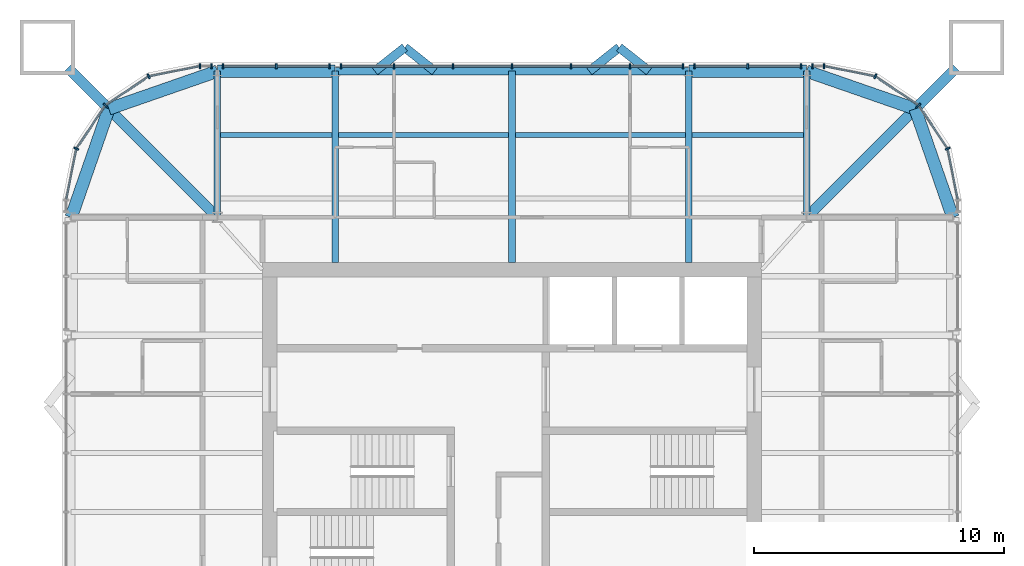
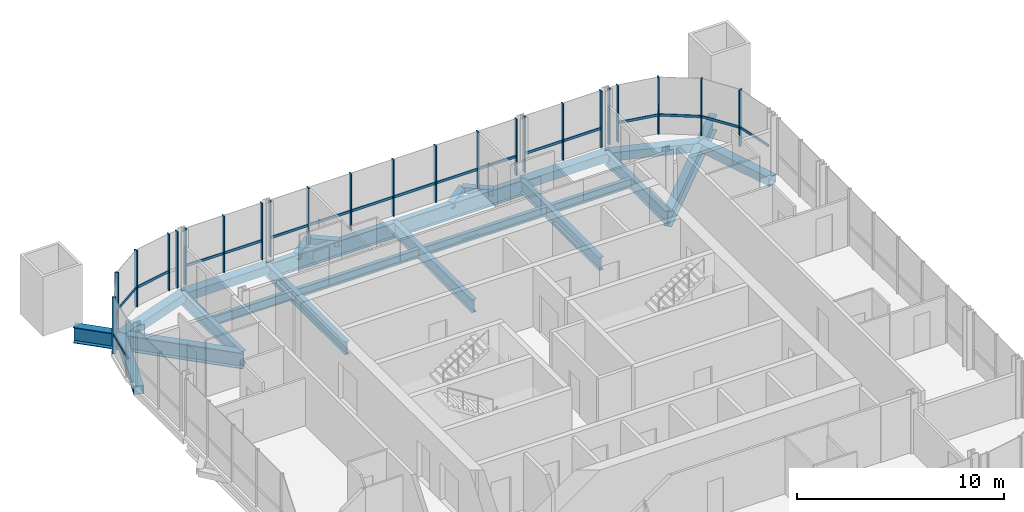
# One storey, part 6 of 17: 41 members, 22 beams, 7 elements without a shape of their own.
"""IFC4 building model written with IfcOpenShell, lengths in metres."""

from ifc_helpers import new_model, si_unit, direction, frame, origin, origin_2d, place, context, subcontext, project, spatial, rectangle, hollow_rectangle, i_section, extrude, material, material_profile, profile_set, type_object, element, aggregate, save


model = new_model("IFC4")

# Units and contexts
model_context = context("Model", 3, precision=1e-05, world=origin(), true_north=direction((0.0, 1.0)))
body_context = subcontext(model_context, "Body", "Model", "MODEL_VIEW")
ifc_project = project(units=[si_unit("LENGTHUNIT", "METRE"), si_unit("AREAUNIT", "SQUARE_METRE"), si_unit("VOLUMEUNIT", "CUBIC_METRE"), si_unit("PLANEANGLEUNIT", "RADIAN"), si_unit("MASSUNIT", "GRAM", prefix="KILO")], contexts=[model_context])

# Site, building, storey
site_placement = place(None, origin())
site = spatial("IfcSite", under=ifc_project, at=site_placement, CompositionType="ELEMENT")
building_placement = place(site_placement, origin())
building = spatial("IfcBuilding", under=site, at=building_placement, Name="Turquesa Mirador Hotel Tower", CompositionType="ELEMENT")
storey_placement = place(building_placement, frame((0.0, 0.0, 254.699951171875)))
storey = spatial("IfcBuildingStorey", under=building, at=storey_placement, Name="L69", CompositionType="ELEMENT", Elevation=254.699951171875)

# Beams
ifc_material_1 = material(Name="Steel ASTM A572 Grade 50", Category="steel")
ifc_material_profile_1 = material_profile(ifc_material_1, hollow_rectangle(XDim=0.5, YDim=0.5, WallThickness=0.01611328125, at=origin_2d()), Name="BOX500X500X16")
ifc_profile_set_1 = profile_set([ifc_material_profile_1], Name="Steel ASTM A572 Grade 50")
beam_type_1 = type_object("IfcBeamType", Name="BEAM BOX500X500X16", PredefinedType="BEAM", material=ifc_profile_set_1)
for number, where, z_axis, x_axis, name in (
    (1, (43.199951171875, 62.64990234375, -0.419921875), (1.0, 0.0, 0.0), (0.0, 1.0, 0.0), "EB-L69-N-L"),
    (2, (62.080078125, 62.64990234375, -0.419921875), (1.0, 0.0, 0.0), (0.0, 1.0, 0.0), "EB-L69-N-R"),
):
    element("IfcBeam", number, at=place(storey_placement, frame(where, z_axis=z_axis, x_axis=x_axis)), inside=storey, type_object=beam_type_1, Name=name, PredefinedType="BEAM", context=body_context, shape_type="SweptSolid", body=[
        extrude(hollow_rectangle(XDim=0.5, YDim=0.5, WallThickness=0.01611328125, at=origin_2d()), origin(), (0.0, 0.0, 1.0), 4.719970703125),
    ])
for number, where, z_axis, x_axis, name in (
    (3, (72.64990234375, 56.800048828125, -0.419921875), (-0.328170356092, 0.944618556552, 0.0), (-0.944618556552, -0.328170356092, 0.0), "KE-L69-1-0"),
    (4, (71.1416015625, 61.1416015625, -0.419921875), (-0.944618556552, 0.328170356092, 0.0), (-0.328170356092, -0.944618556552, 0.0), "KE-L69-1-1"),
    (5, (37.35009765625, 56.800048828125, -0.419921875), (0.328170356092, 0.944618556552, 0.0), (-0.944618556552, 0.328170356092, 0.0), "KE-L69-2-0"),
    (6, (38.8583984375, 61.1416015625, -0.419921875), (0.944618556552, 0.328170356092, 0.0), (-0.328170356092, 0.944618556552, 0.0), "KE-L69-2-1"),
):
    element("IfcBeam", number, at=place(storey_placement, frame(where, z_axis=z_axis, x_axis=x_axis)), inside=storey, type_object=beam_type_1, Name=name, PredefinedType="BEAM", context=body_context, shape_type="SweptSolid", body=[
        extrude(hollow_rectangle(XDim=0.5, YDim=0.5, WallThickness=0.01611328125, at=origin_2d()), origin(), (0.0, 0.0, 1.0), 4.59619140625),
    ])
ifc_material_2 = material(Name="Steel ASTM A992 Grade 50", Category="steel")
ifc_material_profile_2 = material_profile(ifc_material_2, i_section(OverallWidth=0.209228515625, OverallDepth=0.533447265625, WebThickness=0.01025390625, FlangeThickness=0.015625, at=origin_2d()), Name="W21X62")
ifc_profile_set_2 = profile_set([ifc_material_profile_2], Name="Steel ASTM A992 Grade 50")
beam_type_2 = type_object("IfcBeamType", Name="BEAM W21X62", PredefinedType="BEAM", material=ifc_profile_set_2)
beam_1_placement = place(storey_placement, frame((43.333251953125, 60.10009765625, -0.436767578125), z_axis=(1.0, 0.0, 0.0), x_axis=(0.0, 1.0, 0.0)))
element("IfcBeam", 7, at=beam_1_placement, inside=storey, type_object=beam_type_2, Name="IB-L69-N-2-0", PredefinedType="BEAM", context=body_context, shape_type="SweptSolid", body=[
    extrude(i_section(OverallWidth=0.209228515625, OverallDepth=0.533447265625, WebThickness=0.01025390625, FlangeThickness=0.015625, at=origin_2d()), origin(), (0.0, 0.0, 1.0), 4.453369140625),
])
for number, where, z_axis, x_axis, name in (
    (8, (48.053466796875, 60.10009765625, -0.436767578125), (1.0, 0.0, 0.0), (0.0, 1.0, 0.0), "IB-L69-N-2-1"),
    (9, (55.13330078125, 60.10009765625, -0.436767578125), (1.0, 0.0, 0.0), (0.0, 1.0, 0.0), "IB-L69-N-2-2"),
):
    element("IfcBeam", number, at=place(storey_placement, frame(where, z_axis=z_axis, x_axis=x_axis)), inside=storey, type_object=beam_type_2, Name=name, PredefinedType="BEAM", context=body_context, shape_type="SweptSolid", body=[
        extrude(i_section(OverallWidth=0.209228515625, OverallDepth=0.533447265625, WebThickness=0.01025390625, FlangeThickness=0.015625, at=origin_2d()), origin(), (0.0, 0.0, 1.0), 6.813232421875),
    ])
beam_2_placement = place(storey_placement, frame((62.21337890625, 60.10009765625, -0.436767578125), z_axis=(1.0, 0.0, 0.0), x_axis=(0.0, 1.0, 0.0)))
element("IfcBeam", 10, at=beam_2_placement, inside=storey, type_object=beam_type_2, Name="IB-L69-N-2-3", PredefinedType="BEAM", context=body_context, shape_type="SweptSolid", body=[
    extrude(i_section(OverallWidth=0.209228515625, OverallDepth=0.533447265625, WebThickness=0.01025390625, FlangeThickness=0.015625, at=origin_2d()), origin(), (0.0, 0.0, 1.0), 4.453369140625),
])
ifc_material_3 = material(Name="Steel ASTM A992 Grade 50", Category="steel")
ifc_material_profile_3 = material_profile(ifc_material_3, i_section(OverallWidth=0.2666015625, OverallDepth=0.7568359375, WebThickness=0.013916015625, FlangeThickness=0.019287109375, at=origin_2d()), Name="W30X108")
ifc_profile_set_3 = profile_set([ifc_material_profile_3], Name="Steel ASTM A992 Grade 50")
beam_type_3 = type_object("IfcBeamType", Name="BEAM W30X108", PredefinedType="BEAM", material=ifc_profile_set_3)
for number, where, z_axis, x_axis, name in (
    (11, (47.919921875, 62.64990234375, -0.54833984375), (0.0, -1.0, 0.0), (1.0, 0.0, 0.0), "GD-L69-N--7.08"),
    (12, (62.080078125, 62.64990234375, -0.54833984375), (0.0, -1.0, 0.0), (1.0, 0.0, 0.0), "GD-L69-N-+7.08"),
    (13, (55.0, 62.64990234375, -0.54833984375), (0.0, -1.0, 0.0), (1.0, 0.0, 0.0), "GD-L69-N-+0.00"),
):
    element("IfcBeam", number, at=place(storey_placement, frame(where, z_axis=z_axis, x_axis=x_axis)), inside=storey, type_object=beam_type_3, Name=name, PredefinedType="BEAM", context=body_context, shape_type="SweptSolid", body=[
        extrude(i_section(OverallWidth=0.2666015625, OverallDepth=0.7568359375, WebThickness=0.013916015625, FlangeThickness=0.019287109375, at=origin_2d()), origin(), (0.0, 0.0, 1.0), 7.64990234375),
    ])
for number, where, z_axis, x_axis, name in (
    (14, (43.199951171875, 62.64990234375, -0.54833984375), (0.0, -1.0, 0.0), (1.0, 0.0, 0.0), "GK-L69-N--11.80"),
    (15, (66.800048828125, 62.64990234375, -0.54833984375), (0.0, -1.0, 0.0), (1.0, 0.0, 0.0), "GK-L69-N-+11.80"),
):
    element("IfcBeam", number, at=place(storey_placement, frame(where, z_axis=z_axis, x_axis=x_axis)), inside=storey, type_object=beam_type_3, Name=name, PredefinedType="BEAM", context=body_context, shape_type="SweptSolid", body=[
        extrude(i_section(OverallWidth=0.2666015625, OverallDepth=0.7568359375, WebThickness=0.013916015625, FlangeThickness=0.019287109375, at=origin_2d()), origin(), (0.0, 0.0, 1.0), 5.849853515625),
    ])
ifc_material_4 = material(Name="Steel ASTM A992 Grade 50", Category="steel")
ifc_material_profile_4 = material_profile(ifc_material_4, i_section(OverallWidth=0.3046875, OverallDepth=0.911865234375, WebThickness=0.015869140625, FlangeThickness=0.02392578125, at=origin_2d()), Name="W36X150")
ifc_profile_set_4 = profile_set([ifc_material_profile_4], Name="Steel ASTM A992 Grade 50")
beam_type_4 = type_object("IfcBeamType", Name="BEAM W36X150", PredefinedType="BEAM", material=ifc_profile_set_4)
beam_3_placement = place(storey_placement, frame((47.919921875, 62.64990234375, -0.6259765625), z_axis=(1.0, 0.0, 0.0), x_axis=(0.0, 1.0, 0.0)))
element("IfcBeam", 16, at=beam_3_placement, inside=storey, type_object=beam_type_4, Name="EB-L69-N-C", PredefinedType="BEAM", context=body_context, shape_type="SweptSolid", body=[
    extrude(i_section(OverallWidth=0.3046875, OverallDepth=0.911865234375, WebThickness=0.015869140625, FlangeThickness=0.02392578125, at=origin_2d()), origin(), (0.0, 0.0, 1.0), 14.16015625),
])
ifc_material_5 = material(Name="Steel ASTM A992 Grade 50", Category="steel")
ifc_material_profile_5 = material_profile(ifc_material_5, i_section(OverallWidth=0.419189453125, OverallDepth=0.927001953125, WebThickness=0.019287109375, FlangeThickness=0.031982421875, at=origin_2d()), Name="W36X231")
ifc_profile_set_5 = profile_set([ifc_material_profile_5], Name="Steel ASTM A992 Grade 50")
beam_type_5 = type_object("IfcBeamType", Name="BEAM W36X231", PredefinedType="BEAM", material=ifc_profile_set_5)
for number, where, z_axis, x_axis, name in (
    (17, (66.800048828125, 56.800048828125, -0.633544921875), (0.707106781187, 0.707106781187, 0.0), (-0.707106781187, 0.707106781187, 0.0), "KD-L69-1"),
    (18, (43.199951171875, 56.800048828125, -0.633544921875), (-0.707106781187, 0.707106781187, 0.0), (-0.707106781187, -0.707106781187, 0.0), "KD-L69-2"),
):
    element("IfcBeam", number, at=place(storey_placement, frame(where, z_axis=z_axis, x_axis=x_axis)), inside=storey, type_object=beam_type_5, Name=name, PredefinedType="BEAM", context=body_context, shape_type="SweptSolid", body=[
        extrude(i_section(OverallWidth=0.419189453125, OverallDepth=0.927001953125, WebThickness=0.019287109375, FlangeThickness=0.031982421875, at=origin_2d()), origin(), (0.0, 0.0, 1.0), 8.46240234375),
    ])
ifc_material_6 = material(Name="Steel ASTM A500 Grade C", Category="steel")
ifc_material_profile_6 = material_profile(ifc_material_6, hollow_rectangle(XDim=0.355712890625, YDim=0.355712890625, WallThickness=0.0146484375, at=origin_2d()), Name="HSS14X14X5/8")
ifc_profile_set_6 = profile_set([ifc_material_profile_6], Name="Steel ASTM A500 Grade C")
beam_type_6 = type_object("IfcBeamType", Name="BRACE STRUT HSS14X14X5/8", PredefinedType="BEAM", material=ifc_profile_set_6)
for number, where, z_axis, x_axis, name in (
    (19, (59.292236328125, 63.60009765625, -0.34765625), (-0.783971428146, -0.620796907089, 0.0), (0.620796907089, -0.783971428146, 0.0), "Brace strut"),
    (20, (59.292236328125, 63.60009765625, -0.34765625), (0.783971428146, -0.620796907089, 0.0), (0.620796907089, 0.783971428146, 0.0), "Brace strut"),
    (21, (50.707763671875, 63.60009765625, -0.34765625), (-0.783971428146, -0.620796907089, 0.0), (0.620796907089, -0.783971428146, 0.0), "Brace strut"),
    (22, (50.707763671875, 63.60009765625, -0.34765625), (0.783971428146, -0.620796907089, 0.0), (0.620796907089, 0.783971428146, 0.0), "Brace strut"),
):
    element("IfcBeam", number, at=place(storey_placement, frame(where, z_axis=z_axis, x_axis=x_axis)), inside=storey, type_object=beam_type_6, Name=name, PredefinedType="BEAM", context=body_context, shape_type="SweptSolid", body=[
        extrude(hollow_rectangle(XDim=0.355712890625, YDim=0.355712890625, WallThickness=0.0146484375, at=origin_2d()), origin(), (0.0, 0.0, 1.0), 1.530517578125),
    ])

# Curtain wall, members
ifc_material_7 = material(Name="Aluminium extrusion", Category="aluminium")
curtain_wall_type = type_object("IfcCurtainWallType", Name="CW-4 SUITE FRITTED CURTAIN WALL", PredefinedType="USERDEFINED", material=ifc_material_7)
curtain_wall_1_placement = place(storey_placement, origin())
curtain_wall_1 = element("IfcCurtainWall", 23, at=curtain_wall_1_placement, inside=storey, type_object=curtain_wall_type, Name="CW-4 SUITE FRITTED CURTAIN WALL L69", ObjectType="CURTAIN WALL", PredefinedType="USERDEFINED")
ifc_material_8 = material(Name="Aluminium extrusion", Category="aluminium")
ifc_material_profile_7 = material_profile(ifc_material_8, rectangle(XDim=0.06494140625, YDim=0.199951171875, at=origin_2d()), Name="MULLION 65X200")
ifc_profile_set_7 = profile_set([ifc_material_profile_7], Name="Aluminium extrusion")
member_type_1 = type_object("IfcMemberType", Name="CW MULLION 65X200", PredefinedType="MULLION", material=ifc_profile_set_7)
member_1_placement = place(storey_placement, frame((72.44287109375, 59.54736328125, 0.0), z_axis=(0.0, 0.0, 1.0), x_axis=(-0.382683432365, 0.923879532511, 0.0)))
member_1 = element("IfcMember", 24, at=member_1_placement, type_object=member_type_1, Name="Mullion", PredefinedType="MULLION", context=body_context, shape_type="SweptSolid", body=[
    extrude(rectangle(XDim=0.06494140625, YDim=0.199951171875, at=origin_2d()), origin(), (0.0, 0.0, 1.0), 3.330078125),
])
member_2_placement = place(storey_placement, frame((71.282958984375, 61.282958984375, 0.0), z_axis=(0.0, 0.0, 1.0), x_axis=(-0.707106781187, 0.707106781187, 0.0)))
member_2 = element("IfcMember", 25, at=member_2_placement, type_object=member_type_1, Name="Mullion", PredefinedType="MULLION", context=body_context, shape_type="SweptSolid", body=[
    extrude(rectangle(XDim=0.06494140625, YDim=0.199951171875, at=origin_2d()), origin(), (0.0, 0.0, 1.0), 3.330078125),
])
member_3_placement = place(storey_placement, frame((69.54736328125, 62.44287109375, 0.0), z_axis=(0.0, 0.0, 1.0), x_axis=(-0.923879532511, 0.382683432365, 0.0)))
member_3 = element("IfcMember", 26, at=member_3_placement, type_object=member_type_1, Name="Mullion", PredefinedType="MULLION", context=body_context, shape_type="SweptSolid", body=[
    extrude(rectangle(XDim=0.06494140625, YDim=0.199951171875, at=origin_2d()), origin(), (0.0, 0.0, 1.0), 3.330078125),
])

curtain_wall_2_placement = place(storey_placement, origin())
curtain_wall_2 = element("IfcCurtainWall", 27, at=curtain_wall_2_placement, inside=storey, type_object=curtain_wall_type, Name="CW-4 SUITE FRITTED CURTAIN WALL L69", ObjectType="CURTAIN WALL", PredefinedType="USERDEFINED")
member_4_placement = place(storey_placement, frame((67.5, 62.85009765625, 0.0), z_axis=(0.0, 0.0, 1.0), x_axis=(-1.0, 0.0, 0.0)))
member_4 = element("IfcMember", 28, at=member_4_placement, type_object=member_type_1, Name="Mullion", PredefinedType="MULLION", context=body_context, shape_type="SweptSolid", body=[
    extrude(rectangle(XDim=0.06494140625, YDim=0.199951171875, at=origin_2d()), origin(), (0.0, 0.0, 1.0), 3.330078125),
])
member_5_placement = place(storey_placement, frame((67.033935546875, 62.85009765625, 0.0), z_axis=(0.0, 0.0, 1.0), x_axis=(-1.0, 0.0, 0.0)))
member_5 = element("IfcMember", 29, at=member_5_placement, type_object=member_type_1, Name="Mullion", PredefinedType="MULLION", context=body_context, shape_type="SweptSolid", body=[
    extrude(rectangle(XDim=0.06494140625, YDim=0.199951171875, at=origin_2d()), origin(), (0.0, 0.0, 1.0), 3.330078125),
])
aggregate(curtain_wall_2, [member_4, member_5])

curtain_wall_3_placement = place(storey_placement, origin())
curtain_wall_3 = element("IfcCurtainWall", 30, at=curtain_wall_3_placement, inside=storey, type_object=curtain_wall_type, Name="CW-4 SUITE FRITTED CURTAIN WALL L69", ObjectType="CURTAIN WALL", PredefinedType="USERDEFINED")
member_6_placement = place(storey_placement, frame((66.566162109375, 62.85009765625, 0.0), z_axis=(0.0, 0.0, 1.0), x_axis=(-1.0, 0.0, 0.0)))
member_6 = element("IfcMember", 31, at=member_6_placement, type_object=member_type_1, Name="Mullion", PredefinedType="MULLION", context=body_context, shape_type="SweptSolid", body=[
    extrude(rectangle(XDim=0.06494140625, YDim=0.199951171875, at=origin_2d()), origin(), (0.0, 0.0, 1.0), 3.330078125),
])
member_7_placement = place(storey_placement, frame((64.43994140625, 62.85009765625, 0.0), z_axis=(0.0, 0.0, 1.0), x_axis=(-1.0, 0.0, 0.0)))
member_7 = element("IfcMember", 32, at=member_7_placement, type_object=member_type_1, Name="Mullion", PredefinedType="MULLION", context=body_context, shape_type="SweptSolid", body=[
    extrude(rectangle(XDim=0.06494140625, YDim=0.199951171875, at=origin_2d()), origin(), (0.0, 0.0, 1.0), 3.330078125),
])
member_8_placement = place(storey_placement, frame((62.31396484375, 62.85009765625, 0.0), z_axis=(0.0, 0.0, 1.0), x_axis=(-1.0, 0.0, 0.0)))
member_8 = element("IfcMember", 33, at=member_8_placement, type_object=member_type_1, Name="Mullion", PredefinedType="MULLION", context=body_context, shape_type="SweptSolid", body=[
    extrude(rectangle(XDim=0.06494140625, YDim=0.199951171875, at=origin_2d()), origin(), (0.0, 0.0, 1.0), 3.330078125),
])

curtain_wall_4_placement = place(storey_placement, origin())
curtain_wall_4 = element("IfcCurtainWall", 34, at=curtain_wall_4_placement, inside=storey, type_object=curtain_wall_type, Name="CW-4 SUITE FRITTED CURTAIN WALL L69", ObjectType="CURTAIN WALL", PredefinedType="USERDEFINED")
member_9_placement = place(storey_placement, frame((61.84619140625, 62.85009765625, 0.0), z_axis=(0.0, 0.0, 1.0), x_axis=(-1.0, 0.0, 0.0)))
member_9 = element("IfcMember", 35, at=member_9_placement, type_object=member_type_1, Name="Mullion", PredefinedType="MULLION", context=body_context, shape_type="SweptSolid", body=[
    extrude(rectangle(XDim=0.06494140625, YDim=0.199951171875, at=origin_2d()), origin(), (0.0, 0.0, 1.0), 3.330078125),
])
member_10_placement = place(storey_placement, frame((59.719970703125, 62.85009765625, 0.0), z_axis=(0.0, 0.0, 1.0), x_axis=(-1.0, 0.0, 0.0)))
member_10 = element("IfcMember", 36, at=member_10_placement, type_object=member_type_1, Name="Mullion", PredefinedType="MULLION", context=body_context, shape_type="SweptSolid", body=[
    extrude(rectangle(XDim=0.06494140625, YDim=0.199951171875, at=origin_2d()), origin(), (0.0, 0.0, 1.0), 3.330078125),
])
member_11_placement = place(storey_placement, frame((57.360107421875, 62.85009765625, 0.0), z_axis=(0.0, 0.0, 1.0), x_axis=(-1.0, 0.0, 0.0)))
member_11 = element("IfcMember", 37, at=member_11_placement, type_object=member_type_1, Name="Mullion", PredefinedType="MULLION", context=body_context, shape_type="SweptSolid", body=[
    extrude(rectangle(XDim=0.06494140625, YDim=0.199951171875, at=origin_2d()), origin(), (0.0, 0.0, 1.0), 3.330078125),
])
member_12_placement = place(storey_placement, frame((55.0, 62.85009765625, 0.0), z_axis=(0.0, 0.0, 1.0), x_axis=(-1.0, 0.0, 0.0)))
member_12 = element("IfcMember", 38, at=member_12_placement, type_object=member_type_1, Name="Mullion", PredefinedType="MULLION", context=body_context, shape_type="SweptSolid", body=[
    extrude(rectangle(XDim=0.06494140625, YDim=0.199951171875, at=origin_2d()), origin(), (0.0, 0.0, 1.0), 3.330078125),
])
member_13_placement = place(storey_placement, frame((52.639892578125, 62.85009765625, 0.0), z_axis=(0.0, 0.0, 1.0), x_axis=(-1.0, 0.0, 0.0)))
member_13 = element("IfcMember", 39, at=member_13_placement, type_object=member_type_1, Name="Mullion", PredefinedType="MULLION", context=body_context, shape_type="SweptSolid", body=[
    extrude(rectangle(XDim=0.06494140625, YDim=0.199951171875, at=origin_2d()), origin(), (0.0, 0.0, 1.0), 3.330078125),
])
member_14_placement = place(storey_placement, frame((50.280029296875, 62.85009765625, 0.0), z_axis=(0.0, 0.0, 1.0), x_axis=(-1.0, 0.0, 0.0)))
member_14 = element("IfcMember", 40, at=member_14_placement, type_object=member_type_1, Name="Mullion", PredefinedType="MULLION", context=body_context, shape_type="SweptSolid", body=[
    extrude(rectangle(XDim=0.06494140625, YDim=0.199951171875, at=origin_2d()), origin(), (0.0, 0.0, 1.0), 3.330078125),
])
member_15_placement = place(storey_placement, frame((48.15380859375, 62.85009765625, 0.0), z_axis=(0.0, 0.0, 1.0), x_axis=(-1.0, 0.0, 0.0)))
member_15 = element("IfcMember", 41, at=member_15_placement, type_object=member_type_1, Name="Mullion", PredefinedType="MULLION", context=body_context, shape_type="SweptSolid", body=[
    extrude(rectangle(XDim=0.06494140625, YDim=0.199951171875, at=origin_2d()), origin(), (0.0, 0.0, 1.0), 3.330078125),
])

curtain_wall_5_placement = place(storey_placement, origin())
curtain_wall_5 = element("IfcCurtainWall", 42, at=curtain_wall_5_placement, inside=storey, type_object=curtain_wall_type, Name="CW-4 SUITE FRITTED CURTAIN WALL L69", ObjectType="CURTAIN WALL", PredefinedType="USERDEFINED")
member_16_placement = place(storey_placement, frame((47.68603515625, 62.85009765625, 0.0), z_axis=(0.0, 0.0, 1.0), x_axis=(-1.0, 0.0, 0.0)))
member_16 = element("IfcMember", 43, at=member_16_placement, type_object=member_type_1, Name="Mullion", PredefinedType="MULLION", context=body_context, shape_type="SweptSolid", body=[
    extrude(rectangle(XDim=0.06494140625, YDim=0.199951171875, at=origin_2d()), origin(), (0.0, 0.0, 1.0), 3.330078125),
])
member_17_placement = place(storey_placement, frame((45.56005859375, 62.85009765625, 0.0), z_axis=(0.0, 0.0, 1.0), x_axis=(-1.0, 0.0, 0.0)))
member_17 = element("IfcMember", 44, at=member_17_placement, type_object=member_type_1, Name="Mullion", PredefinedType="MULLION", context=body_context, shape_type="SweptSolid", body=[
    extrude(rectangle(XDim=0.06494140625, YDim=0.199951171875, at=origin_2d()), origin(), (0.0, 0.0, 1.0), 3.330078125),
])
member_18_placement = place(storey_placement, frame((43.433837890625, 62.85009765625, 0.0), z_axis=(0.0, 0.0, 1.0), x_axis=(-1.0, 0.0, 0.0)))
member_18 = element("IfcMember", 45, at=member_18_placement, type_object=member_type_1, Name="Mullion", PredefinedType="MULLION", context=body_context, shape_type="SweptSolid", body=[
    extrude(rectangle(XDim=0.06494140625, YDim=0.199951171875, at=origin_2d()), origin(), (0.0, 0.0, 1.0), 3.330078125),
])

curtain_wall_6_placement = place(storey_placement, origin())
curtain_wall_6 = element("IfcCurtainWall", 46, at=curtain_wall_6_placement, inside=storey, type_object=curtain_wall_type, Name="CW-4 SUITE FRITTED CURTAIN WALL L69", ObjectType="CURTAIN WALL", PredefinedType="USERDEFINED")
member_19_placement = place(storey_placement, frame((42.966064453125, 62.85009765625, 0.0), z_axis=(0.0, 0.0, 1.0), x_axis=(-1.0, 0.0, 0.0)))
member_19 = element("IfcMember", 47, at=member_19_placement, type_object=member_type_1, Name="Mullion", PredefinedType="MULLION", context=body_context, shape_type="SweptSolid", body=[
    extrude(rectangle(XDim=0.06494140625, YDim=0.199951171875, at=origin_2d()), origin(), (0.0, 0.0, 1.0), 3.330078125),
])
member_20_placement = place(storey_placement, frame((42.5, 62.85009765625, 0.0), z_axis=(0.0, 0.0, 1.0), x_axis=(-1.0, 0.0, 0.0)))
member_20 = element("IfcMember", 48, at=member_20_placement, type_object=member_type_1, Name="Mullion", PredefinedType="MULLION", context=body_context, shape_type="SweptSolid", body=[
    extrude(rectangle(XDim=0.06494140625, YDim=0.199951171875, at=origin_2d()), origin(), (0.0, 0.0, 1.0), 3.330078125),
])
aggregate(curtain_wall_6, [member_19, member_20])

curtain_wall_7_placement = place(storey_placement, origin())
curtain_wall_7 = element("IfcCurtainWall", 49, at=curtain_wall_7_placement, inside=storey, type_object=curtain_wall_type, Name="CW-4 SUITE FRITTED CURTAIN WALL L69", ObjectType="CURTAIN WALL", PredefinedType="USERDEFINED")
member_21_placement = place(storey_placement, frame((40.45263671875, 62.44287109375, 0.0), z_axis=(0.0, 0.0, 1.0), x_axis=(-0.923879532511, -0.382683432365, 0.0)))
member_21 = element("IfcMember", 50, at=member_21_placement, type_object=member_type_1, Name="Mullion", PredefinedType="MULLION", context=body_context, shape_type="SweptSolid", body=[
    extrude(rectangle(XDim=0.06494140625, YDim=0.199951171875, at=origin_2d()), origin(), (0.0, 0.0, 1.0), 3.330078125),
])
member_22_placement = place(storey_placement, frame((38.717041015625, 61.282958984375, 0.0), z_axis=(0.0, 0.0, 1.0), x_axis=(-0.707106781187, -0.707106781187, 0.0)))
member_22 = element("IfcMember", 51, at=member_22_placement, type_object=member_type_1, Name="Mullion", PredefinedType="MULLION", context=body_context, shape_type="SweptSolid", body=[
    extrude(rectangle(XDim=0.06494140625, YDim=0.199951171875, at=origin_2d()), origin(), (0.0, 0.0, 1.0), 3.330078125),
])
member_23_placement = place(storey_placement, frame((37.55712890625, 59.54736328125, 0.0), z_axis=(0.0, 0.0, 1.0), x_axis=(-0.382683432365, -0.923879532511, 0.0)))
member_23 = element("IfcMember", 52, at=member_23_placement, type_object=member_type_1, Name="Mullion", PredefinedType="MULLION", context=body_context, shape_type="SweptSolid", body=[
    extrude(rectangle(XDim=0.06494140625, YDim=0.199951171875, at=origin_2d()), origin(), (0.0, 0.0, 1.0), 3.330078125),
])

# Member
ifc_material_9 = material(Name="Aluminium extrusion", Category="aluminium")
ifc_material_profile_8 = material_profile(ifc_material_9, rectangle(XDim=0.06494140625, YDim=0.14990234375, at=origin_2d()), Name="TRANSOM 65X150")
ifc_profile_set_8 = profile_set([ifc_material_profile_8], Name="Aluminium extrusion")
member_type_2 = type_object("IfcMemberType", Name="CW TRANSOM 65X150", PredefinedType="USERDEFINED", material=ifc_profile_set_8)
member_24_placement = place(storey_placement, frame((72.84375, 57.531982421875, 1.10009765625), z_axis=(-0.195210621934, 0.980761343592, 0.0), x_axis=(-0.980761343592, -0.195210621934, 0.0)))
member_24 = element("IfcMember", 53, at=member_24_placement, type_object=member_type_2, Name="Transom", ObjectType="TRANSOM", PredefinedType="USERDEFINED", context=body_context, shape_type="SweptSolid", body=[
    extrude(rectangle(XDim=0.06494140625, YDim=0.14990234375, at=origin_2d()), origin(), (0.0, 0.0, 1.0), 2.022216796875),
])

member_25_placement = place(storey_placement, frame((72.4248046875, 59.574462890625, 1.10009765625), z_axis=(-0.555619095835, 0.831436961136, 0.0), x_axis=(-0.831436961136, -0.555619095835, 0.0)))
member_25 = element("IfcMember", 54, at=member_25_placement, type_object=member_type_2, Name="Transom", ObjectType="TRANSOM", PredefinedType="USERDEFINED", context=body_context, shape_type="SweptSolid", body=[
    extrude(rectangle(XDim=0.06494140625, YDim=0.14990234375, at=origin_2d()), origin(), (0.0, 0.0, 1.0), 2.0224609375),
])

member_26_placement = place(storey_placement, frame((71.256103515625, 61.301025390625, 1.10009765625), z_axis=(-0.831436961136, 0.555619095835, 0.0), x_axis=(-0.555619095835, -0.831436961136, 0.0)))
member_26 = element("IfcMember", 55, at=member_26_placement, type_object=member_type_2, Name="Transom", ObjectType="TRANSOM", PredefinedType="USERDEFINED", context=body_context, shape_type="SweptSolid", body=[
    extrude(rectangle(XDim=0.06494140625, YDim=0.14990234375, at=origin_2d()), origin(), (0.0, 0.0, 1.0), 2.0224609375),
])

member_27_placement = place(storey_placement, frame((69.515380859375, 62.448974609375, 1.10009765625), z_axis=(-0.980761343592, 0.195210621934, 0.0), x_axis=(-0.195210621934, -0.980761343592, 0.0)))
member_27 = element("IfcMember", 56, at=member_27_placement, type_object=member_type_2, Name="Transom", ObjectType="TRANSOM", PredefinedType="USERDEFINED", context=body_context, shape_type="SweptSolid", body=[
    extrude(rectangle(XDim=0.06494140625, YDim=0.14990234375, at=origin_2d()), origin(), (0.0, 0.0, 1.0), 2.022216796875),
])

aggregate(curtain_wall_1, [member_1, member_2, member_3, member_24, member_25, member_26, member_27])

member_28_placement = place(storey_placement, frame((66.53369140625, 62.85009765625, 1.10009765625), z_axis=(-1.0, 0.0, 0.0), x_axis=(0.0, -1.0, 0.0)))
member_28 = element("IfcMember", 57, at=member_28_placement, type_object=member_type_2, Name="Transom", ObjectType="TRANSOM", PredefinedType="USERDEFINED", context=body_context, shape_type="SweptSolid", body=[
    extrude(rectangle(XDim=0.06494140625, YDim=0.14990234375, at=origin_2d()), origin(), (0.0, 0.0, 1.0), 2.061279296875),
])

member_29_placement = place(storey_placement, frame((64.407470703125, 62.85009765625, 1.10009765625), z_axis=(-1.0, 0.0, 0.0), x_axis=(0.0, -1.0, 0.0)))
member_29 = element("IfcMember", 58, at=member_29_placement, type_object=member_type_2, Name="Transom", ObjectType="TRANSOM", PredefinedType="USERDEFINED", context=body_context, shape_type="SweptSolid", body=[
    extrude(rectangle(XDim=0.06494140625, YDim=0.14990234375, at=origin_2d()), origin(), (0.0, 0.0, 1.0), 2.06103515625),
])

aggregate(curtain_wall_3, [member_6, member_7, member_8, member_28, member_29])

member_30_placement = place(storey_placement, frame((61.813720703125, 62.85009765625, 1.10009765625), z_axis=(-1.0, 0.0, 0.0), x_axis=(0.0, -1.0, 0.0)))
member_30 = element("IfcMember", 59, at=member_30_placement, type_object=member_type_2, Name="Transom", ObjectType="TRANSOM", PredefinedType="USERDEFINED", context=body_context, shape_type="SweptSolid", body=[
    extrude(rectangle(XDim=0.06494140625, YDim=0.14990234375, at=origin_2d()), origin(), (0.0, 0.0, 1.0), 2.061279296875),
])

member_31_placement = place(storey_placement, frame((59.6875, 62.85009765625, 1.10009765625), z_axis=(-1.0, 0.0, 0.0), x_axis=(0.0, -1.0, 0.0)))
member_31 = element("IfcMember", 60, at=member_31_placement, type_object=member_type_2, Name="Transom", ObjectType="TRANSOM", PredefinedType="USERDEFINED", context=body_context, shape_type="SweptSolid", body=[
    extrude(rectangle(XDim=0.06494140625, YDim=0.14990234375, at=origin_2d()), origin(), (0.0, 0.0, 1.0), 2.294921875),
])

member_32_placement = place(storey_placement, frame((57.327392578125, 62.85009765625, 1.10009765625), z_axis=(-1.0, 0.0, 0.0), x_axis=(0.0, -1.0, 0.0)))
member_32 = element("IfcMember", 61, at=member_32_placement, type_object=member_type_2, Name="Transom", ObjectType="TRANSOM", PredefinedType="USERDEFINED", context=body_context, shape_type="SweptSolid", body=[
    extrude(rectangle(XDim=0.06494140625, YDim=0.14990234375, at=origin_2d()), origin(), (0.0, 0.0, 1.0), 2.294921875),
])

member_33_placement = place(storey_placement, frame((54.967529296875, 62.85009765625, 1.10009765625), z_axis=(-1.0, 0.0, 0.0), x_axis=(0.0, -1.0, 0.0)))
member_33 = element("IfcMember", 62, at=member_33_placement, type_object=member_type_2, Name="Transom", ObjectType="TRANSOM", PredefinedType="USERDEFINED", context=body_context, shape_type="SweptSolid", body=[
    extrude(rectangle(XDim=0.06494140625, YDim=0.14990234375, at=origin_2d()), origin(), (0.0, 0.0, 1.0), 2.294921875),
])

member_34_placement = place(storey_placement, frame((52.607421875, 62.85009765625, 1.10009765625), z_axis=(-1.0, 0.0, 0.0), x_axis=(0.0, -1.0, 0.0)))
member_34 = element("IfcMember", 63, at=member_34_placement, type_object=member_type_2, Name="Transom", ObjectType="TRANSOM", PredefinedType="USERDEFINED", context=body_context, shape_type="SweptSolid", body=[
    extrude(rectangle(XDim=0.06494140625, YDim=0.14990234375, at=origin_2d()), origin(), (0.0, 0.0, 1.0), 2.294921875),
])

member_35_placement = place(storey_placement, frame((50.24755859375, 62.85009765625, 1.10009765625), z_axis=(-1.0, 0.0, 0.0), x_axis=(0.0, -1.0, 0.0)))
member_35 = element("IfcMember", 64, at=member_35_placement, type_object=member_type_2, Name="Transom", ObjectType="TRANSOM", PredefinedType="USERDEFINED", context=body_context, shape_type="SweptSolid", body=[
    extrude(rectangle(XDim=0.06494140625, YDim=0.14990234375, at=origin_2d()), origin(), (0.0, 0.0, 1.0), 2.061279296875),
])

aggregate(curtain_wall_4, [member_9, member_10, member_11, member_12, member_13, member_14, member_15, member_30, member_31, member_32, member_33, member_34, member_35])

member_36_placement = place(storey_placement, frame((47.653564453125, 62.85009765625, 1.10009765625), z_axis=(-1.0, 0.0, 0.0), x_axis=(0.0, -1.0, 0.0)))
member_36 = element("IfcMember", 65, at=member_36_placement, type_object=member_type_2, Name="Transom", ObjectType="TRANSOM", PredefinedType="USERDEFINED", context=body_context, shape_type="SweptSolid", body=[
    extrude(rectangle(XDim=0.06494140625, YDim=0.14990234375, at=origin_2d()), origin(), (0.0, 0.0, 1.0), 2.06103515625),
])

member_37_placement = place(storey_placement, frame((45.527587890625, 62.85009765625, 1.10009765625), z_axis=(-1.0, 0.0, 0.0), x_axis=(0.0, -1.0, 0.0)))
member_37 = element("IfcMember", 66, at=member_37_placement, type_object=member_type_2, Name="Transom", ObjectType="TRANSOM", PredefinedType="USERDEFINED", context=body_context, shape_type="SweptSolid", body=[
    extrude(rectangle(XDim=0.06494140625, YDim=0.14990234375, at=origin_2d()), origin(), (0.0, 0.0, 1.0), 2.061279296875),
])

aggregate(curtain_wall_5, [member_16, member_17, member_18, member_36, member_37])

member_38_placement = place(storey_placement, frame((42.468017578125, 62.84375, 1.10009765625), z_axis=(-0.980761343592, -0.195210621934, 0.0), x_axis=(0.195210621934, -0.980761343592, 0.0)))
member_38 = element("IfcMember", 67, at=member_38_placement, type_object=member_type_2, Name="Transom", ObjectType="TRANSOM", PredefinedType="USERDEFINED", context=body_context, shape_type="SweptSolid", body=[
    extrude(rectangle(XDim=0.06494140625, YDim=0.14990234375, at=origin_2d()), origin(), (0.0, 0.0, 1.0), 2.022216796875),
])

member_39_placement = place(storey_placement, frame((40.425537109375, 62.4248046875, 1.10009765625), z_axis=(-0.831436961136, -0.555619095835, 0.0), x_axis=(0.555619095835, -0.831436961136, 0.0)))
member_39 = element("IfcMember", 68, at=member_39_placement, type_object=member_type_2, Name="Transom", ObjectType="TRANSOM", PredefinedType="USERDEFINED", context=body_context, shape_type="SweptSolid", body=[
    extrude(rectangle(XDim=0.06494140625, YDim=0.14990234375, at=origin_2d()), origin(), (0.0, 0.0, 1.0), 2.0224609375),
])

member_40_placement = place(storey_placement, frame((38.698974609375, 61.256103515625, 1.10009765625), z_axis=(-0.555619095835, -0.831436961136, 0.0), x_axis=(0.831436961136, -0.555619095835, 0.0)))
member_40 = element("IfcMember", 69, at=member_40_placement, type_object=member_type_2, Name="Transom", ObjectType="TRANSOM", PredefinedType="USERDEFINED", context=body_context, shape_type="SweptSolid", body=[
    extrude(rectangle(XDim=0.06494140625, YDim=0.14990234375, at=origin_2d()), origin(), (0.0, 0.0, 1.0), 2.0224609375),
])

member_41_placement = place(storey_placement, frame((37.551025390625, 59.515380859375, 1.10009765625), z_axis=(-0.195210621934, -0.980761343592, 0.0), x_axis=(0.980761343592, -0.195210621934, 0.0)))
member_41 = element("IfcMember", 70, at=member_41_placement, type_object=member_type_2, Name="Transom", ObjectType="TRANSOM", PredefinedType="USERDEFINED", context=body_context, shape_type="SweptSolid", body=[
    extrude(rectangle(XDim=0.06494140625, YDim=0.14990234375, at=origin_2d()), origin(), (0.0, 0.0, 1.0), 2.022216796875),
])

aggregate(curtain_wall_7, [member_21, member_22, member_23, member_38, member_39, member_40, member_41])

save(model, "model.ifc")
